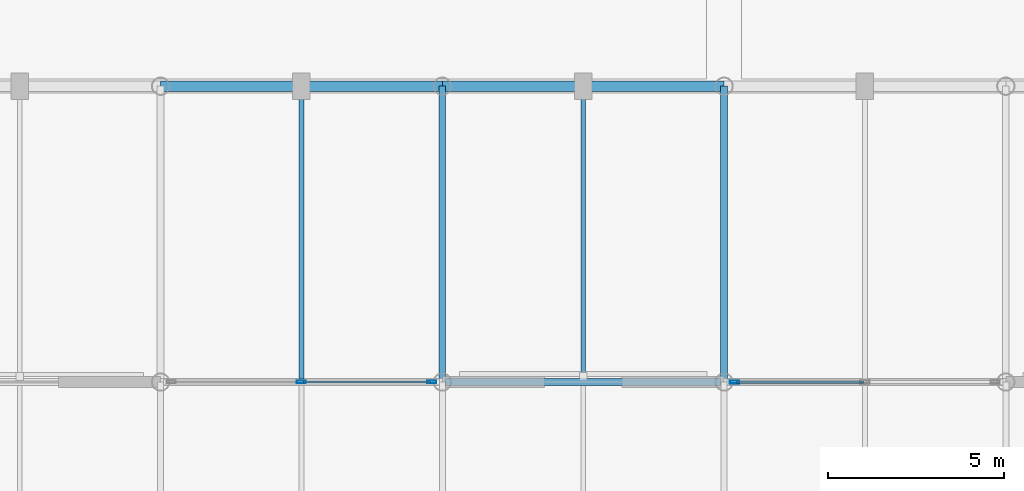
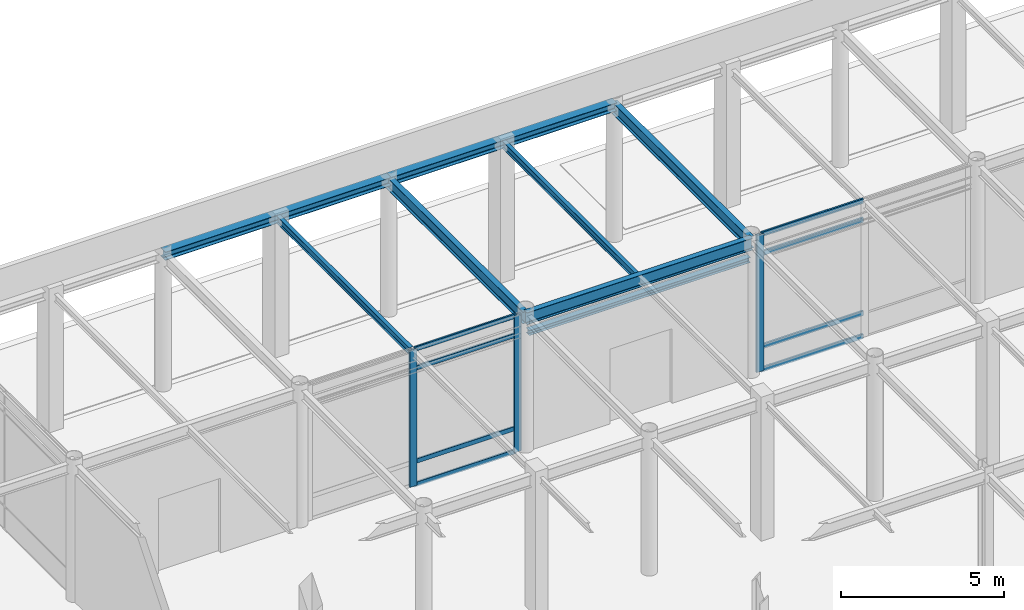
# One storey, part 38 of 89: 11 members, 8 beams, 2 elements without a shape of their own.
"""IFC4 building model written with IfcOpenShell, lengths in metres."""

from ifc_helpers import new_model, si_unit, direction, frame, origin, origin_2d, place, context, subcontext, project, spatial, hollow_rectangle, i_section, extrude, material, layer, layer_set, material_profile, profile_set, type_object, element, aggregate, save


model = new_model("IFC4")

# Units and contexts
model_context = context("Model", 3, precision=1e-05, world=origin(), true_north=direction((0.0, 1.0)))
body_context = subcontext(model_context, "Body", "Model", "MODEL_VIEW")
ifc_project = project(units=[si_unit("LENGTHUNIT", "METRE"), si_unit("AREAUNIT", "SQUARE_METRE"), si_unit("VOLUMEUNIT", "CUBIC_METRE"), si_unit("PLANEANGLEUNIT", "RADIAN"), si_unit("MASSUNIT", "GRAM", prefix="KILO")], contexts=[model_context])

# Site, building, storey
site_placement = place(None, origin())
site = spatial("IfcSite", under=ifc_project, at=site_placement, CompositionType="ELEMENT")
building_placement = place(site_placement, origin())
building = spatial("IfcBuilding", under=site, at=building_placement, Name="Shalkamar Park Central Library", CompositionType="ELEMENT")
storey_placement = place(building_placement, origin())
storey = spatial("IfcBuildingStorey", under=building, at=storey_placement, Name="L01", CompositionType="ELEMENT", Elevation=0.0)

# Beams
ifc_material_1 = material(Name="Steel S355", Category="steel")
ifc_material_profile_1 = material_profile(ifc_material_1, i_section(OverallWidth=0.135009765625, OverallDepth=0.27001953125, WebThickness=0.006591796875, FlangeThickness=0.01025390625, FilletRadius=0.014892578125, at=origin_2d()), Name="IPE 270")
ifc_profile_set_1 = profile_set([ifc_material_profile_1], Name="Steel S355")
beam_type_1 = type_object("IfcBeamType", Name="Composite Floor Joist IPE270", PredefinedType="JOIST", material=ifc_profile_set_1)
for number, where, z_axis, x_axis, name in (
    (1, (177.0, 345.693115234375, 5.0048828125), (0.0, 1.0, 0.0), (-1.0, 0.0, 0.0), "Composite Joist 08/Q-1 (L01)"),
    (2, (185.0, 345.693115234375, 5.0048828125), (0.0, 1.0, 0.0), (-1.0, 0.0, 0.0), "Composite Joist 09/Q-1 (L01)"),
):
    element("IfcBeam", number, at=place(storey_placement, frame(where, z_axis=z_axis, x_axis=x_axis)), inside=storey, type_object=beam_type_1, Name=name, PredefinedType="JOIST", context=body_context, shape_type="SweptSolid", body=[
        extrude(i_section(OverallWidth=0.135009765625, OverallDepth=0.27001953125, WebThickness=0.006591796875, FlangeThickness=0.01025390625, FilletRadius=0.014892578125, at=origin_2d()), origin(), (0.0, 0.0, 1.0), 8.158935546875),
    ])

# Curtain wall, members
ifc_material_2 = material(Name="Thermally broken aluminium and triple low-e curtain wall", Category="aluminium")
ifc_layer_1 = layer(ifc_material_2, 0.2548828125)
ifc_layer_set_1 = layer_set([ifc_layer_1], Name="UnitisedCurtainWall_08")
curtain_wall_type_1 = type_object("IfcCurtainWallType", Name="Unitised Curtain Wall 08", PredefinedType="USERDEFINED", material=ifc_layer_set_1)
curtain_wall_1_placement = place(storey_placement, origin())
curtain_wall_1 = element("IfcCurtainWall", 3, at=curtain_wall_1_placement, inside=storey, type_object=curtain_wall_type_1, Name="Unitised Curtain Wall CW-L01-008", ObjectType="UNITISED CURTAIN WALL", PredefinedType="USERDEFINED")
ifc_material_3 = material(Name="Aluminium 6060-T66", Category="aluminium")
ifc_material_profile_2 = material_profile(ifc_material_3, hollow_rectangle(XDim=0.080078125, YDim=0.2548828125, WallThickness=0.00439453125, InnerFilletRadius=0.00439453125, OuterFilletRadius=0.0068359375, at=origin_2d()), Name="ALU 80x255x4.5")
ifc_profile_set_2 = profile_set([ifc_material_profile_2], Name="Aluminium 6060-T66")
member_type_1 = type_object("IfcMemberType", Name="Curtain Wall Mullion ALU80x255", PredefinedType="MULLION", material=ifc_profile_set_2)
member_1_placement = place(storey_placement, frame((177.0, 345.60009765625, 0.0), z_axis=(0.0, 0.0, 1.0), x_axis=(0.0, 1.0, 0.0)))
member_1 = element("IfcMember", 4, at=member_1_placement, type_object=member_type_1, Name="CW-08 mullion 2", PredefinedType="MULLION", context=body_context, shape_type="SweptSolid", body=[
    extrude(hollow_rectangle(XDim=0.080078125, YDim=0.2548828125, WallThickness=0.00439453125, InnerFilletRadius=0.00439453125, OuterFilletRadius=0.0068359375, at=origin_2d()), origin(), (0.0, 0.0, 1.0), 5.139892578125),
])
member_2_placement = place(storey_placement, frame((180.701904296875, 345.60009765625, 0.0), z_axis=(0.0, 0.0, 1.0), x_axis=(0.0, 1.0, 0.0)))
member_2 = element("IfcMember", 5, at=member_2_placement, type_object=member_type_1, Name="CW-08 mullion 3", PredefinedType="MULLION", context=body_context, shape_type="SweptSolid", body=[
    extrude(hollow_rectangle(XDim=0.080078125, YDim=0.2548828125, WallThickness=0.00439453125, InnerFilletRadius=0.00439453125, OuterFilletRadius=0.0068359375, at=origin_2d()), origin(), (0.0, 0.0, 1.0), 5.139892578125),
])

# Curtain wall, member
ifc_layer_2 = layer(ifc_material_2, 0.264892578125)
ifc_layer_set_2 = layer_set([ifc_layer_2], Name="UnitisedCurtainWall_09")
curtain_wall_type_2 = type_object("IfcCurtainWallType", Name="Unitised Curtain Wall 09", PredefinedType="USERDEFINED", material=ifc_layer_set_2)
curtain_wall_2_placement = place(storey_placement, origin())
curtain_wall_2 = element("IfcCurtainWall", 6, at=curtain_wall_2_placement, inside=storey, type_object=curtain_wall_type_2, Name="Unitised Curtain Wall CW-L01-009", ObjectType="UNITISED CURTAIN WALL", PredefinedType="USERDEFINED")
ifc_material_profile_3 = material_profile(ifc_material_3, hollow_rectangle(XDim=0.0849609375, YDim=0.264892578125, WallThickness=0.0048828125, InnerFilletRadius=0.0048828125, OuterFilletRadius=0.007568359375, at=origin_2d()), Name="ALU 85x265x5")
ifc_profile_set_3 = profile_set([ifc_material_profile_3], Name="Aluminium 6060-T66")
member_type_2 = type_object("IfcMemberType", Name="Curtain Wall Mullion ALU85x265", PredefinedType="MULLION", material=ifc_profile_set_3)
member_3_placement = place(storey_placement, frame((189.300537109375, 345.60009765625, 0.0), z_axis=(0.0, 0.0, 1.0), x_axis=(0.0, 1.0, 0.0)))
member_3 = element("IfcMember", 7, at=member_3_placement, type_object=member_type_2, Name="CW-09 mullion 1", PredefinedType="MULLION", context=body_context, shape_type="SweptSolid", body=[
    extrude(hollow_rectangle(XDim=0.0849609375, YDim=0.264892578125, WallThickness=0.0048828125, InnerFilletRadius=0.0048828125, OuterFilletRadius=0.007568359375, at=origin_2d()), origin(), (0.0, 0.0, 1.0), 5.139892578125),
])

# Member
ifc_material_profile_4 = material_profile(ifc_material_3, hollow_rectangle(XDim=0.06494140625, YDim=0.169921875, WallThickness=0.00390625, InnerFilletRadius=0.00390625, OuterFilletRadius=0.006103515625, at=origin_2d()), Name="ALU 65x170x4")
ifc_profile_set_4 = profile_set([ifc_material_profile_4], Name="Aluminium 6060-T66")
member_type_3 = type_object("IfcMemberType", Name="Curtain Wall Transom ALU65x170", PredefinedType="USERDEFINED", material=ifc_profile_set_4)
member_4_placement = place(storey_placement, frame((177.0400390625, 345.60009765625, 0.032470703125), z_axis=(1.0, 0.0, 0.0), x_axis=(0.0, 1.0, 0.0)))
member_4 = element("IfcMember", 8, at=member_4_placement, type_object=member_type_3, Name="CW-08 transom 2.1", ObjectType="TRANSOM", PredefinedType="USERDEFINED", context=body_context, shape_type="SweptSolid", body=[
    extrude(hollow_rectangle(XDim=0.06494140625, YDim=0.169921875, WallThickness=0.00390625, InnerFilletRadius=0.00390625, OuterFilletRadius=0.006103515625, at=origin_2d()), origin(), (0.0, 0.0, 1.0), 3.6220703125),
])

member_5_placement = place(storey_placement, frame((177.0400390625, 345.60009765625, 0.89990234375), z_axis=(1.0, 0.0, 0.0), x_axis=(0.0, 1.0, 0.0)))
member_5 = element("IfcMember", 9, at=member_5_placement, type_object=member_type_3, Name="CW-08 transom 2.2", ObjectType="TRANSOM", PredefinedType="USERDEFINED", context=body_context, shape_type="SweptSolid", body=[
    extrude(hollow_rectangle(XDim=0.06494140625, YDim=0.169921875, WallThickness=0.00390625, InnerFilletRadius=0.00390625, OuterFilletRadius=0.006103515625, at=origin_2d()), origin(), (0.0, 0.0, 1.0), 3.6220703125),
])

member_6_placement = place(storey_placement, frame((177.0400390625, 345.60009765625, 4.389892578125), z_axis=(1.0, 0.0, 0.0), x_axis=(0.0, 1.0, 0.0)))
member_6 = element("IfcMember", 10, at=member_6_placement, type_object=member_type_3, Name="CW-08 transom 2.3", ObjectType="TRANSOM", PredefinedType="USERDEFINED", context=body_context, shape_type="SweptSolid", body=[
    extrude(hollow_rectangle(XDim=0.06494140625, YDim=0.169921875, WallThickness=0.00390625, InnerFilletRadius=0.00390625, OuterFilletRadius=0.006103515625, at=origin_2d()), origin(), (0.0, 0.0, 1.0), 3.6220703125),
])

member_7_placement = place(storey_placement, frame((177.0400390625, 345.60009765625, 5.107421875), z_axis=(1.0, 0.0, 0.0), x_axis=(0.0, 1.0, 0.0)))
member_7 = element("IfcMember", 11, at=member_7_placement, type_object=member_type_3, Name="CW-08 transom 2.4", ObjectType="TRANSOM", PredefinedType="USERDEFINED", context=body_context, shape_type="SweptSolid", body=[
    extrude(hollow_rectangle(XDim=0.06494140625, YDim=0.169921875, WallThickness=0.00390625, InnerFilletRadius=0.00390625, OuterFilletRadius=0.006103515625, at=origin_2d()), origin(), (0.0, 0.0, 1.0), 3.6220703125),
])

aggregate(curtain_wall_1, [member_1, member_2, member_4, member_5, member_6, member_7])

ifc_material_profile_5 = material_profile(ifc_material_3, hollow_rectangle(XDim=0.070068359375, YDim=0.179931640625, WallThickness=0.00439453125, InnerFilletRadius=0.00439453125, OuterFilletRadius=0.0068359375, at=origin_2d()), Name="ALU 70x180x4.5")
ifc_profile_set_5 = profile_set([ifc_material_profile_5], Name="Aluminium 6060-T66")
member_type_4 = type_object("IfcMemberType", Name="Curtain Wall Transom ALU70x180", PredefinedType="USERDEFINED", material=ifc_profile_set_5)
member_8_placement = place(storey_placement, frame((189.343017578125, 345.60009765625, 0.034912109375), z_axis=(1.0, 0.0, 0.0), x_axis=(0.0, 1.0, 0.0)))
member_8 = element("IfcMember", 12, at=member_8_placement, type_object=member_type_4, Name="CW-09 transom 1.1", ObjectType="TRANSOM", PredefinedType="USERDEFINED", context=body_context, shape_type="SweptSolid", body=[
    extrude(hollow_rectangle(XDim=0.070068359375, YDim=0.179931640625, WallThickness=0.00439453125, InnerFilletRadius=0.00439453125, OuterFilletRadius=0.0068359375, at=origin_2d()), origin(), (0.0, 0.0, 1.0), 3.614501953125),
])

member_9_placement = place(storey_placement, frame((189.343017578125, 345.60009765625, 0.89990234375), z_axis=(1.0, 0.0, 0.0), x_axis=(0.0, 1.0, 0.0)))
member_9 = element("IfcMember", 13, at=member_9_placement, type_object=member_type_4, Name="CW-09 transom 1.2", ObjectType="TRANSOM", PredefinedType="USERDEFINED", context=body_context, shape_type="SweptSolid", body=[
    extrude(hollow_rectangle(XDim=0.070068359375, YDim=0.179931640625, WallThickness=0.00439453125, InnerFilletRadius=0.00439453125, OuterFilletRadius=0.0068359375, at=origin_2d()), origin(), (0.0, 0.0, 1.0), 3.614501953125),
])

member_10_placement = place(storey_placement, frame((189.343017578125, 345.60009765625, 4.389892578125), z_axis=(1.0, 0.0, 0.0), x_axis=(0.0, 1.0, 0.0)))
member_10 = element("IfcMember", 14, at=member_10_placement, type_object=member_type_4, Name="CW-09 transom 1.3", ObjectType="TRANSOM", PredefinedType="USERDEFINED", context=body_context, shape_type="SweptSolid", body=[
    extrude(hollow_rectangle(XDim=0.070068359375, YDim=0.179931640625, WallThickness=0.00439453125, InnerFilletRadius=0.00439453125, OuterFilletRadius=0.0068359375, at=origin_2d()), origin(), (0.0, 0.0, 1.0), 3.614501953125),
])

member_11_placement = place(storey_placement, frame((189.343017578125, 345.60009765625, 5.10498046875), z_axis=(1.0, 0.0, 0.0), x_axis=(0.0, 1.0, 0.0)))
member_11 = element("IfcMember", 15, at=member_11_placement, type_object=member_type_4, Name="CW-09 transom 1.4", ObjectType="TRANSOM", PredefinedType="USERDEFINED", context=body_context, shape_type="SweptSolid", body=[
    extrude(hollow_rectangle(XDim=0.070068359375, YDim=0.179931640625, WallThickness=0.00439453125, InnerFilletRadius=0.00439453125, OuterFilletRadius=0.0068359375, at=origin_2d()), origin(), (0.0, 0.0, 1.0), 3.614501953125),
])

aggregate(curtain_wall_2, [member_3, member_8, member_9, member_10, member_11])

# Beams
ifc_material_profile_6 = material_profile(ifc_material_1, i_section(OverallWidth=0.199951171875, OverallDepth=0.18994140625, WebThickness=0.006591796875, FlangeThickness=0.010009765625, FilletRadius=0.01806640625, at=origin_2d()), Name="HEA 200")
ifc_profile_set_6 = profile_set([ifc_material_profile_6], Name="Steel S355")
beam_type_2 = type_object("IfcBeamType", Name="Opening Lintel Beam HEA200", PredefinedType="LINTEL", material=ifc_profile_set_6)
beam_1_placement = place(storey_placement, frame((181.080078125, 345.60009765625, 4.35009765625), z_axis=(1.0, 0.0, 0.0), x_axis=(0.0, 1.0, 0.0)))
element("IfcBeam", 16, at=beam_1_placement, inside=storey, type_object=beam_type_2, Name="Opening Lintel L01-11", PredefinedType="LINTEL", context=body_context, shape_type="SweptSolid", body=[
    extrude(i_section(OverallWidth=0.199951171875, OverallDepth=0.18994140625, WebThickness=0.006591796875, FlangeThickness=0.010009765625, FilletRadius=0.01806640625, at=origin_2d()), origin(), (0.0, 0.0, 1.0), 7.83984375),
])
ifc_material_profile_7 = material_profile(ifc_material_1, i_section(OverallWidth=0.300048828125, OverallDepth=0.31005859375, WebThickness=0.009033203125, FlangeThickness=0.015380859375, FilletRadius=0.027099609375, at=origin_2d()), Name="HEA 320")
ifc_profile_set_7 = profile_set([ifc_material_profile_7], Name="Steel S355")
beam_type_3 = type_object("IfcBeamType", Name="Perimeter Spandrel Beam HEA320", PredefinedType="SPANDREL", material=ifc_profile_set_7)
for number, where, z_axis, x_axis, name in (
    (17, (173.0, 354.0, 4.9951171875), (1.0, 0.0, 0.0), (0.0, 1.0, 0.0), "Beam R:08-09 (L01)"),
    (18, (181.0, 354.0, 4.9951171875), (1.0, 0.0, 0.0), (0.0, 1.0, 0.0), "Beam R:09-10 (L01)"),
):
    element("IfcBeam", number, at=place(storey_placement, frame(where, z_axis=z_axis, x_axis=x_axis)), inside=storey, type_object=beam_type_3, Name=name, PredefinedType="SPANDREL", context=body_context, shape_type="SweptSolid", body=[
        extrude(i_section(OverallWidth=0.300048828125, OverallDepth=0.31005859375, WebThickness=0.009033203125, FlangeThickness=0.015380859375, FilletRadius=0.027099609375, at=origin_2d()), origin(), (0.0, 0.0, 1.0), 8.0),
    ])
ifc_material_profile_8 = material_profile(ifc_material_1, i_section(OverallWidth=0.18994140625, OverallDepth=0.449951171875, WebThickness=0.009521484375, FlangeThickness=0.0146484375, FilletRadius=0.02099609375, at=origin_2d()), Name="IPE 450")
ifc_profile_set_8 = profile_set([ifc_material_profile_8], Name="Steel S355")
beam_type_4 = type_object("IfcBeamType", Name="Primary Girder IPE450", PredefinedType="BEAM", material=ifc_profile_set_8)
beam_2_placement = place(storey_placement, frame((181.0, 345.60009765625, 4.9150390625), z_axis=(1.0, 0.0, 0.0), x_axis=(0.0, 1.0, 0.0)))
element("IfcBeam", 19, at=beam_2_placement, inside=storey, type_object=beam_type_4, Name="Beam Q:09-10 (L01)", PredefinedType="BEAM", context=body_context, shape_type="SweptSolid", body=[
    extrude(i_section(OverallWidth=0.18994140625, OverallDepth=0.449951171875, WebThickness=0.009521484375, FlangeThickness=0.0146484375, FilletRadius=0.02099609375, at=origin_2d()), origin(), (0.0, 0.0, 1.0), 8.0),
])
for number, where, z_axis, x_axis, name in (
    (20, (181.0, 345.60009765625, 4.9150390625), (0.0, 1.0, 0.0), (-1.0, 0.0, 0.0), "Beam 09:Q-R (L01)"),
    (21, (189.0, 345.60009765625, 4.9150390625), (0.0, 1.0, 0.0), (-1.0, 0.0, 0.0), "Beam 10:Q-R (L01)"),
):
    element("IfcBeam", number, at=place(storey_placement, frame(where, z_axis=z_axis, x_axis=x_axis)), inside=storey, type_object=beam_type_4, Name=name, PredefinedType="BEAM", context=body_context, shape_type="SweptSolid", body=[
        extrude(i_section(OverallWidth=0.18994140625, OverallDepth=0.449951171875, WebThickness=0.009521484375, FlangeThickness=0.0146484375, FilletRadius=0.02099609375, at=origin_2d()), origin(), (0.0, 0.0, 1.0), 8.39990234375),
    ])

save(model, "model.ifc")
